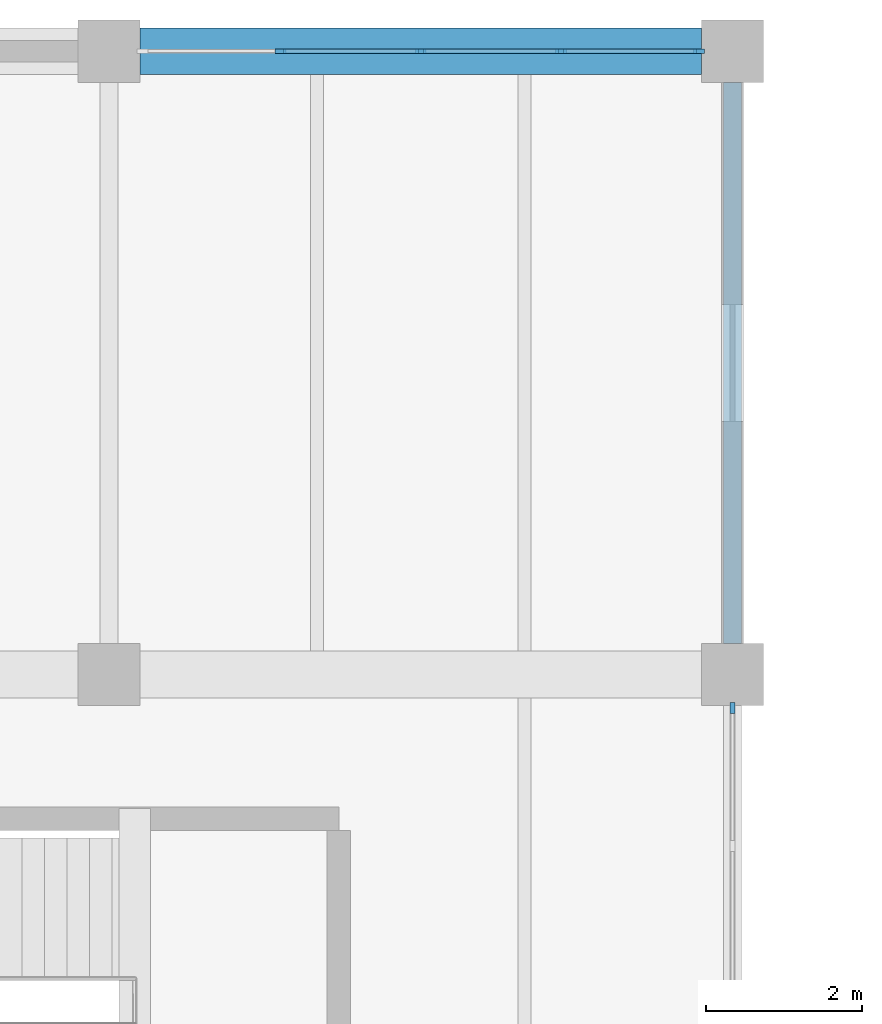
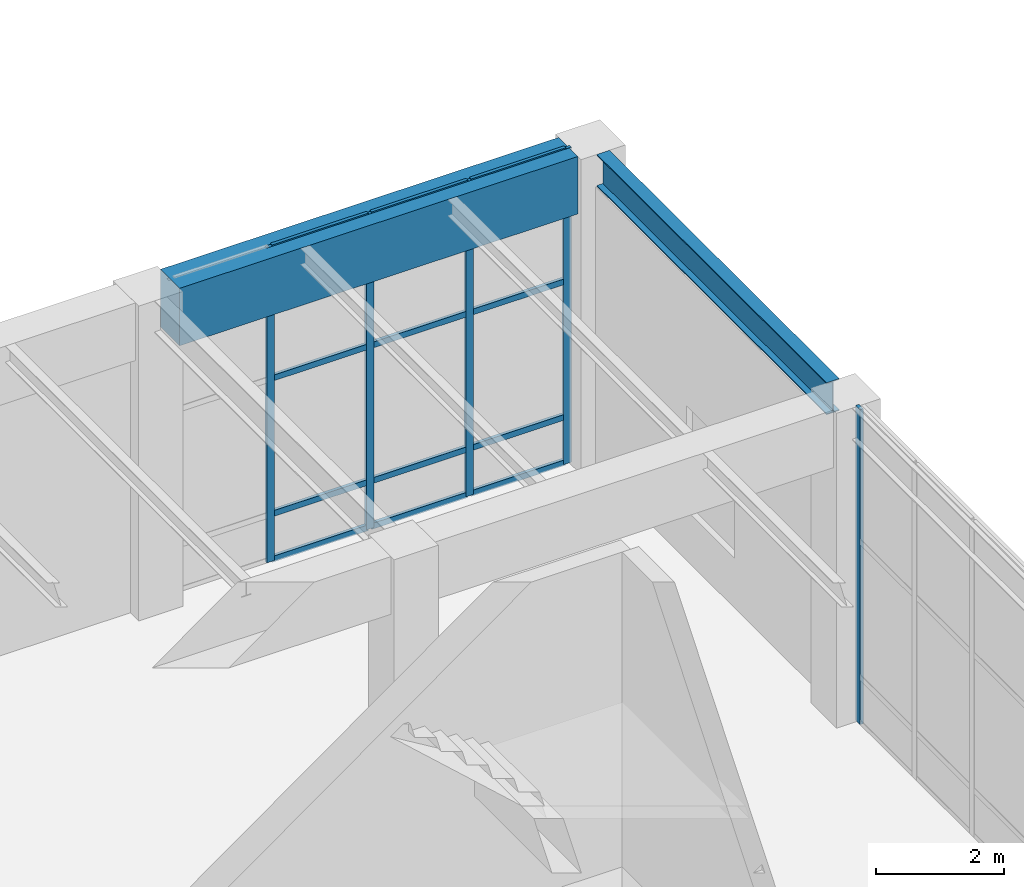
# One storey, part 24 of 51: 17 members, 2 beams, 2 elements without a shape of their own.
"""IFC4 building model written with IfcOpenShell, lengths in metres."""

from ifc_helpers import new_model, si_unit, direction, frame, origin, origin_2d, place, context, subcontext, project, spatial, rectangle, i_section, extrude, material, layer, layer_set, material_profile, profile_set, type_object, element, aggregate, save


model = new_model("IFC4")

# Units and contexts
model_context = context("Model", 3, precision=1e-05, world=origin(), true_north=direction((0.0, 1.0)))
body_context = subcontext(model_context, "Body", "Model", "MODEL_VIEW")
ifc_project = project(units=[si_unit("LENGTHUNIT", "METRE"), si_unit("AREAUNIT", "SQUARE_METRE"), si_unit("VOLUMEUNIT", "CUBIC_METRE"), si_unit("PLANEANGLEUNIT", "RADIAN"), si_unit("MASSUNIT", "GRAM", prefix="KILO")], contexts=[model_context])

# Site, building, storey
site_placement = place(None, origin())
site = spatial("IfcSite", under=ifc_project, at=site_placement, CompositionType="ELEMENT")
building_placement = place(site_placement, origin())
building = spatial("IfcBuilding", under=site, at=building_placement, Name="Varnela Railside Interchange", CompositionType="ELEMENT")
storey_placement = place(building_placement, origin())
storey = spatial("IfcBuildingStorey", under=building, at=storey_placement, Name="L00", CompositionType="ELEMENT", Elevation=0.0)

# Beam
ifc_material_1 = material(Name="Concrete C50", Category="concrete")
ifc_material_profile_1 = material_profile(ifc_material_1, rectangle(XDim=0.60009765625, YDim=1.10009765625, at=origin_2d()), Name="RC 600x1100")
ifc_profile_set_1 = profile_set([ifc_material_profile_1], Name="Concrete C50")
beam_type_1 = type_object("IfcBeamType", Name="Concourse RC Girder B-06", PredefinedType="BEAM", material=ifc_profile_set_1)
beam_1_placement = place(storey_placement, frame((44.39990234375, 94.0, 5.469970703125), z_axis=(1.0, 0.0, 0.0), x_axis=(0.0, 1.0, 0.0)))
element("IfcBeam", 1, at=beam_1_placement, inside=storey, type_object=beam_type_1, Name="Concourse RC Girder B-06 (L00) (BM-1298)", PredefinedType="BEAM", context=body_context, shape_type="SweptSolid", body=[
    extrude(rectangle(XDim=0.60009765625, YDim=1.10009765625, at=origin_2d()), origin(), (0.0, 0.0, 1.0), 7.2001953125),
])

# Curtain wall, members
ifc_material_2 = material(Name="Aluminium 6063-T6", Category="aluminium")
ifc_layer = layer(ifc_material_2, 0.035888671875)
ifc_layer_set = layer_set([ifc_layer], Name="Aluminium 6063-T6")
curtain_wall_type = type_object("IfcCurtainWallType", Name="Operations Wing Facade Curtain Wall CW-03", PredefinedType="USERDEFINED", material=ifc_layer_set)
curtain_wall_1_placement = place(storey_placement, origin())
curtain_wall_1 = element("IfcCurtainWall", 2, at=curtain_wall_1_placement, inside=storey, type_object=curtain_wall_type, Name="Curtain Wall CW-03 (L00) (CW-003)", ObjectType="CURTAIN WALL", PredefinedType="USERDEFINED")
ifc_material_profile_2 = material_profile(ifc_material_2, rectangle(XDim=0.06005859375, YDim=0.139892578125, at=origin_2d()), Name="ALU 60x140")
ifc_profile_set_2 = profile_set([ifc_material_profile_2], Name="Aluminium 6063-T6")
member_type_1 = type_object("IfcMemberType", Name="Curtain Wall Mullion ML-01", PredefinedType="MULLION", material=ifc_profile_set_2)
member_1_placement = place(storey_placement, frame((46.199951171875, 94.0, 0.0), z_axis=(0.0, 0.0, 1.0), x_axis=(0.0, 1.0, 0.0)))
member_1 = element("IfcMember", 3, at=member_1_placement, type_object=member_type_1, Name="CW-03 mullion 2", PredefinedType="MULLION", context=body_context, shape_type="SweptSolid", body=[
    extrude(rectangle(XDim=0.06005859375, YDim=0.139892578125, at=origin_2d()), origin(), (0.0, 0.0, 1.0), 6.02001953125),
])
member_2_placement = place(storey_placement, frame((48.0, 94.0, 0.0), z_axis=(0.0, 0.0, 1.0), x_axis=(0.0, 1.0, 0.0)))
member_2 = element("IfcMember", 4, at=member_2_placement, type_object=member_type_1, Name="CW-03 mullion 3", PredefinedType="MULLION", context=body_context, shape_type="SweptSolid", body=[
    extrude(rectangle(XDim=0.06005859375, YDim=0.139892578125, at=origin_2d()), origin(), (0.0, 0.0, 1.0), 6.02001953125),
])
member_3_placement = place(storey_placement, frame((49.800048828125, 94.0, 0.0), z_axis=(0.0, 0.0, 1.0), x_axis=(0.0, 1.0, 0.0)))
member_3 = element("IfcMember", 5, at=member_3_placement, type_object=member_type_1, Name="CW-03 mullion 4", PredefinedType="MULLION", context=body_context, shape_type="SweptSolid", body=[
    extrude(rectangle(XDim=0.06005859375, YDim=0.139892578125, at=origin_2d()), origin(), (0.0, 0.0, 1.0), 6.02001953125),
])
member_4_placement = place(storey_placement, frame((51.570068359375, 94.0, 0.0), z_axis=(0.0, 0.0, 1.0), x_axis=(0.0, 1.0, 0.0)))
member_4 = element("IfcMember", 6, at=member_4_placement, type_object=member_type_1, Name="CW-03 mullion 5", PredefinedType="MULLION", context=body_context, shape_type="SweptSolid", body=[
    extrude(rectangle(XDim=0.06005859375, YDim=0.139892578125, at=origin_2d()), origin(), (0.0, 0.0, 1.0), 6.02001953125),
])

# Curtain wall, member
curtain_wall_2_placement = place(storey_placement, origin())
curtain_wall_2 = element("IfcCurtainWall", 7, at=curtain_wall_2_placement, inside=storey, type_object=curtain_wall_type, Name="Curtain Wall CW-03 (L00) (CW-004)", ObjectType="CURTAIN WALL", PredefinedType="USERDEFINED")
member_5_placement = place(storey_placement, frame((52.0, 85.570068359375, 0.0), z_axis=(0.0, 0.0, 1.0), x_axis=(1.0, 0.0, 0.0)))
member_5 = element("IfcMember", 8, at=member_5_placement, type_object=member_type_1, Name="CW-03 mullion 1", PredefinedType="MULLION", context=body_context, shape_type="SweptSolid", body=[
    extrude(rectangle(XDim=0.06005859375, YDim=0.139892578125, at=origin_2d()), origin(), (0.0, 0.0, 1.0), 6.02001953125),
])
aggregate(curtain_wall_2, [member_5])

# Member
ifc_material_profile_3 = material_profile(ifc_material_2, rectangle(XDim=0.06005859375, YDim=0.110107421875, at=origin_2d()), Name="ALU 60x110")
ifc_profile_set_3 = profile_set([ifc_material_profile_3], Name="Aluminium 6063-T6")
member_type_2 = type_object("IfcMemberType", Name="Curtain Wall Transom TR-01", PredefinedType="USERDEFINED", material=ifc_profile_set_3)
member_6_placement = place(storey_placement, frame((46.22998046875, 94.0, 0.030029296875), z_axis=(1.0, 0.0, 0.0), x_axis=(0.0, 1.0, 0.0)))
member_6 = element("IfcMember", 9, at=member_6_placement, type_object=member_type_2, Name="CW-03 transom 2.1", ObjectType="TRANSOM", PredefinedType="USERDEFINED", context=body_context, shape_type="SweptSolid", body=[
    extrude(rectangle(XDim=0.06005859375, YDim=0.110107421875, at=origin_2d()), origin(), (0.0, 0.0, 1.0), 1.739990234375),
])

member_7_placement = place(storey_placement, frame((46.22998046875, 94.0, 0.89990234375), z_axis=(1.0, 0.0, 0.0), x_axis=(0.0, 1.0, 0.0)))
member_7 = element("IfcMember", 10, at=member_7_placement, type_object=member_type_2, Name="CW-03 transom 2.2", ObjectType="TRANSOM", PredefinedType="USERDEFINED", context=body_context, shape_type="SweptSolid", body=[
    extrude(rectangle(XDim=0.06005859375, YDim=0.110107421875, at=origin_2d()), origin(), (0.0, 0.0, 1.0), 1.739990234375),
])

member_8_placement = place(storey_placement, frame((46.22998046875, 94.0, 3.49169921875), z_axis=(1.0, 0.0, 0.0), x_axis=(0.0, 1.0, 0.0)))
member_8 = element("IfcMember", 11, at=member_8_placement, type_object=member_type_2, Name="CW-03 transom 2.3", ObjectType="TRANSOM", PredefinedType="USERDEFINED", context=body_context, shape_type="SweptSolid", body=[
    extrude(rectangle(XDim=0.06005859375, YDim=0.110107421875, at=origin_2d()), origin(), (0.0, 0.0, 1.0), 1.739990234375),
])

member_9_placement = place(storey_placement, frame((46.22998046875, 94.0, 5.989990234375), z_axis=(1.0, 0.0, 0.0), x_axis=(0.0, 1.0, 0.0)))
member_9 = element("IfcMember", 12, at=member_9_placement, type_object=member_type_2, Name="CW-03 transom 2.4", ObjectType="TRANSOM", PredefinedType="USERDEFINED", context=body_context, shape_type="SweptSolid", body=[
    extrude(rectangle(XDim=0.06005859375, YDim=0.110107421875, at=origin_2d()), origin(), (0.0, 0.0, 1.0), 1.739990234375),
])

member_10_placement = place(storey_placement, frame((48.030029296875, 94.0, 0.030029296875), z_axis=(1.0, 0.0, 0.0), x_axis=(0.0, 1.0, 0.0)))
member_10 = element("IfcMember", 13, at=member_10_placement, type_object=member_type_2, Name="CW-03 transom 3.1", ObjectType="TRANSOM", PredefinedType="USERDEFINED", context=body_context, shape_type="SweptSolid", body=[
    extrude(rectangle(XDim=0.06005859375, YDim=0.110107421875, at=origin_2d()), origin(), (0.0, 0.0, 1.0), 1.739990234375),
])

member_11_placement = place(storey_placement, frame((48.030029296875, 94.0, 0.89990234375), z_axis=(1.0, 0.0, 0.0), x_axis=(0.0, 1.0, 0.0)))
member_11 = element("IfcMember", 14, at=member_11_placement, type_object=member_type_2, Name="CW-03 transom 3.2", ObjectType="TRANSOM", PredefinedType="USERDEFINED", context=body_context, shape_type="SweptSolid", body=[
    extrude(rectangle(XDim=0.06005859375, YDim=0.110107421875, at=origin_2d()), origin(), (0.0, 0.0, 1.0), 1.739990234375),
])

member_12_placement = place(storey_placement, frame((48.030029296875, 94.0, 3.49169921875), z_axis=(1.0, 0.0, 0.0), x_axis=(0.0, 1.0, 0.0)))
member_12 = element("IfcMember", 15, at=member_12_placement, type_object=member_type_2, Name="CW-03 transom 3.3", ObjectType="TRANSOM", PredefinedType="USERDEFINED", context=body_context, shape_type="SweptSolid", body=[
    extrude(rectangle(XDim=0.06005859375, YDim=0.110107421875, at=origin_2d()), origin(), (0.0, 0.0, 1.0), 1.739990234375),
])

member_13_placement = place(storey_placement, frame((48.030029296875, 94.0, 5.989990234375), z_axis=(1.0, 0.0, 0.0), x_axis=(0.0, 1.0, 0.0)))
member_13 = element("IfcMember", 16, at=member_13_placement, type_object=member_type_2, Name="CW-03 transom 3.4", ObjectType="TRANSOM", PredefinedType="USERDEFINED", context=body_context, shape_type="SweptSolid", body=[
    extrude(rectangle(XDim=0.06005859375, YDim=0.110107421875, at=origin_2d()), origin(), (0.0, 0.0, 1.0), 1.739990234375),
])

member_14_placement = place(storey_placement, frame((49.830078125, 94.0, 0.030029296875), z_axis=(1.0, 0.0, 0.0), x_axis=(0.0, 1.0, 0.0)))
member_14 = element("IfcMember", 17, at=member_14_placement, type_object=member_type_2, Name="CW-03 transom 4.1", ObjectType="TRANSOM", PredefinedType="USERDEFINED", context=body_context, shape_type="SweptSolid", body=[
    extrude(rectangle(XDim=0.06005859375, YDim=0.110107421875, at=origin_2d()), origin(), (0.0, 0.0, 1.0), 1.7099609375),
])

member_15_placement = place(storey_placement, frame((49.830078125, 94.0, 0.89990234375), z_axis=(1.0, 0.0, 0.0), x_axis=(0.0, 1.0, 0.0)))
member_15 = element("IfcMember", 18, at=member_15_placement, type_object=member_type_2, Name="CW-03 transom 4.2", ObjectType="TRANSOM", PredefinedType="USERDEFINED", context=body_context, shape_type="SweptSolid", body=[
    extrude(rectangle(XDim=0.06005859375, YDim=0.110107421875, at=origin_2d()), origin(), (0.0, 0.0, 1.0), 1.7099609375),
])

member_16_placement = place(storey_placement, frame((49.830078125, 94.0, 3.49169921875), z_axis=(1.0, 0.0, 0.0), x_axis=(0.0, 1.0, 0.0)))
member_16 = element("IfcMember", 19, at=member_16_placement, type_object=member_type_2, Name="CW-03 transom 4.3", ObjectType="TRANSOM", PredefinedType="USERDEFINED", context=body_context, shape_type="SweptSolid", body=[
    extrude(rectangle(XDim=0.06005859375, YDim=0.110107421875, at=origin_2d()), origin(), (0.0, 0.0, 1.0), 1.7099609375),
])

member_17_placement = place(storey_placement, frame((49.830078125, 94.0, 5.989990234375), z_axis=(1.0, 0.0, 0.0), x_axis=(0.0, 1.0, 0.0)))
member_17 = element("IfcMember", 20, at=member_17_placement, type_object=member_type_2, Name="CW-03 transom 4.4", ObjectType="TRANSOM", PredefinedType="USERDEFINED", context=body_context, shape_type="SweptSolid", body=[
    extrude(rectangle(XDim=0.06005859375, YDim=0.110107421875, at=origin_2d()), origin(), (0.0, 0.0, 1.0), 1.7099609375),
])

aggregate(curtain_wall_1, [member_1, member_2, member_3, member_4, member_6, member_7, member_8, member_9, member_10, member_11, member_12, member_13, member_14, member_15, member_16, member_17])

# Beam
ifc_material_3 = material(Name="Steel AR 350 (350 MPa)", Category="steel")
ifc_material_profile_4 = material_profile(ifc_material_3, i_section(OverallWidth=0.22900390625, OverallDepth=0.612060546875, WebThickness=0.011962890625, FlangeThickness=0.01953125, at=origin_2d()), Name="W610x125")
ifc_profile_set_4 = profile_set([ifc_material_profile_4], Name="Steel AR 350 (350 MPa)")
beam_type_2 = type_object("IfcBeamType", Name="Podium Composite Girder B-15", PredefinedType="BEAM", material=ifc_profile_set_4)
beam_2_placement = place(storey_placement, frame((52.0, 86.39990234375, 5.714111328125), z_axis=(0.0, 1.0, 0.0), x_axis=(-1.0, 0.0, 0.0)))
element("IfcBeam", 21, at=beam_2_placement, inside=storey, type_object=beam_type_2, Name="Podium Composite Girder B-15 (L00) (BM-1385)", PredefinedType="BEAM", context=body_context, shape_type="SweptSolid", body=[
    extrude(i_section(OverallWidth=0.22900390625, OverallDepth=0.612060546875, WebThickness=0.011962890625, FlangeThickness=0.01953125, at=origin_2d()), origin(), (0.0, 0.0, 1.0), 7.2001953125),
])

save(model, "model.ifc")
